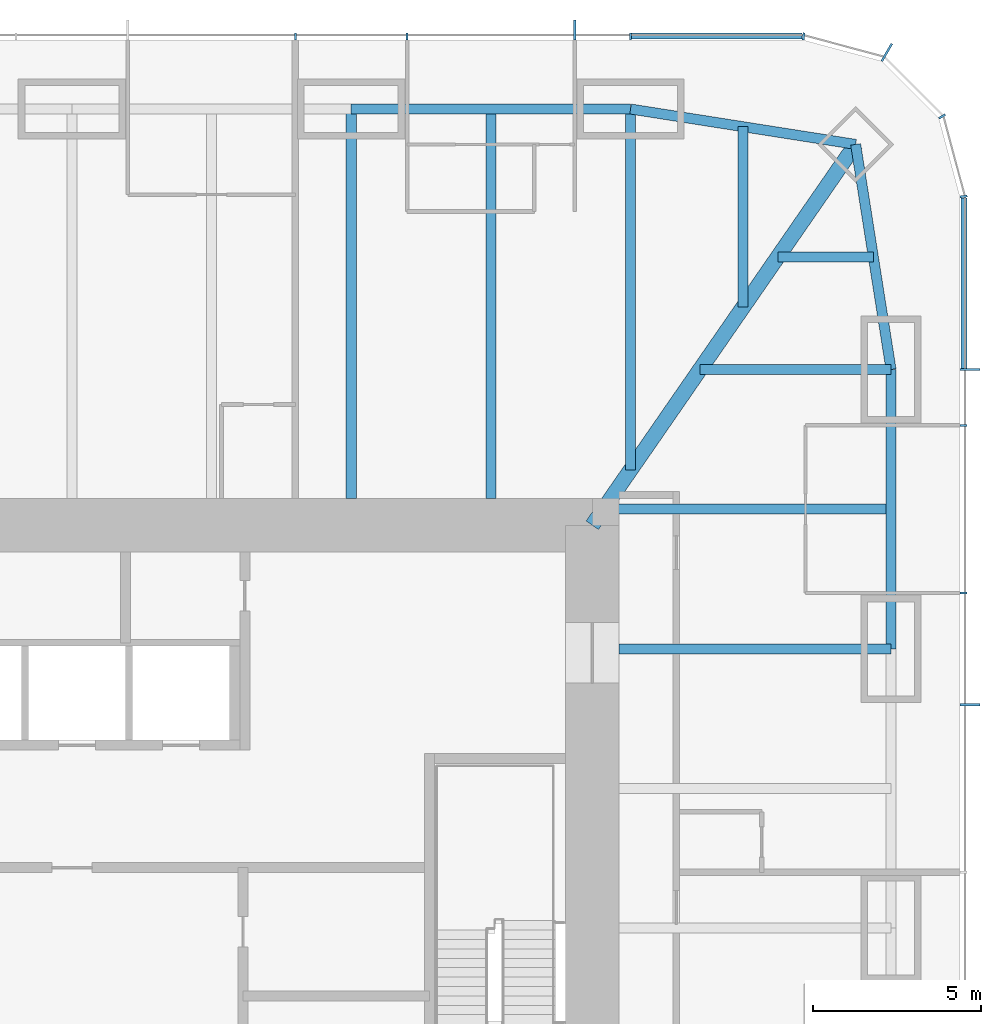
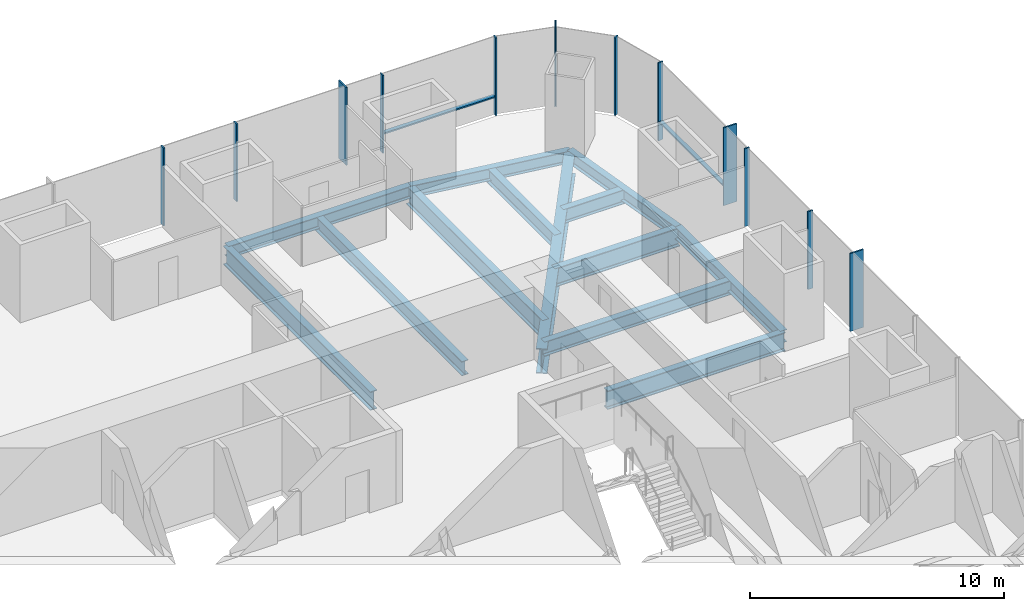
# One storey, part 6 of 12: 14 members, 13 beams, 3 elements without a shape of their own.
"""IFC4 building model written with IfcOpenShell, lengths in metres."""

from ifc_helpers import new_model, si_unit, direction, frame, origin, origin_2d, place, context, subcontext, project, spatial, rectangle, i_section, extrude, material, material_profile, profile_set, type_object, element, aggregate, save


model = new_model("IFC4")

# Units and contexts
model_context = context("Model", 3, precision=1e-05, world=origin(), true_north=direction((0.0, 1.0)))
body_context = subcontext(model_context, "Body", "Model", "MODEL_VIEW")
ifc_project = project(units=[si_unit("LENGTHUNIT", "METRE"), si_unit("AREAUNIT", "SQUARE_METRE"), si_unit("VOLUMEUNIT", "CUBIC_METRE"), si_unit("PLANEANGLEUNIT", "RADIAN"), si_unit("MASSUNIT", "GRAM", prefix="KILO")], contexts=[model_context])

# Site, building, storey
site_placement = place(None, origin())
site = spatial("IfcSite", under=ifc_project, at=site_placement, CompositionType="ELEMENT")
building_placement = place(site_placement, origin())
building = spatial("IfcBuilding", under=site, at=building_placement, Name="Khuree Lantern Residences", CompositionType="ELEMENT")
storey_placement = place(building_placement, frame((0.0, 0.0, 203.25)))
storey = spatial("IfcBuildingStorey", under=building, at=storey_placement, Name="L50", CompositionType="ELEMENT", Elevation=203.25)

# Beams
ifc_material_1 = material(Name="Steel S355", Category="steel")
ifc_material_profile_1 = material_profile(ifc_material_1, i_section(OverallWidth=0.300048828125, OverallDepth=0.68994140625, WebThickness=0.014404296875, FlangeThickness=0.027099609375, FilletRadius=0.027099609375, at=origin_2d()), Name="HE 700 A")
ifc_profile_set_1 = profile_set([ifc_material_profile_1], Name="Steel S355")
beam_type_1 = type_object("IfcBeamType", Name="B-31 SECONDARY BEAM HE 700 A", PredefinedType="BEAM", material=ifc_profile_set_1)
beam_1_placement = place(storey_placement, frame((12.47998046875, 24.39990234375, -0.594970703125), z_axis=(0.0, -1.0, 0.0), x_axis=(1.0, 0.0, 0.0)))
element("IfcBeam", 1, at=beam_1_placement, inside=storey, type_object=beam_type_1, Name="Secondary beam N4", PredefinedType="BEAM", context=body_context, shape_type="SweptSolid", body=[
    extrude(i_section(OverallWidth=0.300048828125, OverallDepth=0.68994140625, WebThickness=0.014404296875, FlangeThickness=0.027099609375, FilletRadius=0.027099609375, at=origin_2d()), origin(), (0.0, 0.0, 1.0), 11.599853515625),
])
beam_2_placement = place(storey_placement, frame((19.992919921875, 23.872802734375, -0.594970703125), z_axis=(0.0, -1.0, 0.0), x_axis=(1.0, 0.0, 0.0)))
element("IfcBeam", 2, at=beam_2_placement, inside=storey, type_object=beam_type_1, Name="Secondary beam N5", PredefinedType="BEAM", context=body_context, shape_type="SweptSolid", body=[
    extrude(i_section(OverallWidth=0.300048828125, OverallDepth=0.68994140625, WebThickness=0.014404296875, FlangeThickness=0.027099609375, FilletRadius=0.027099609375, at=origin_2d()), origin(), (0.0, 0.0, 1.0), 5.375732421875),
])
beam_3_placement = place(storey_placement, frame((23.872802734375, 19.992919921875, -0.594970703125), z_axis=(-1.0, 0.0, 0.0), x_axis=(0.0, -1.0, 0.0)))
element("IfcBeam", 3, at=beam_3_placement, inside=storey, type_object=beam_type_1, Name="Secondary beam E1", PredefinedType="BEAM", context=body_context, shape_type="SweptSolid", body=[
    extrude(i_section(OverallWidth=0.300048828125, OverallDepth=0.68994140625, WebThickness=0.014404296875, FlangeThickness=0.027099609375, FilletRadius=0.027099609375, at=origin_2d()), origin(), (0.0, 0.0, 1.0), 2.845703125),
])
beam_4_placement = place(storey_placement, frame((24.39990234375, 12.47998046875, -0.594970703125), z_axis=(-1.0, 0.0, 0.0), x_axis=(0.0, -1.0, 0.0)))
element("IfcBeam", 4, at=beam_4_placement, inside=storey, type_object=beam_type_1, Name="Secondary beam E2", PredefinedType="BEAM", context=body_context, shape_type="SweptSolid", body=[
    extrude(i_section(OverallWidth=0.300048828125, OverallDepth=0.68994140625, WebThickness=0.014404296875, FlangeThickness=0.027099609375, FilletRadius=0.027099609375, at=origin_2d()), origin(), (0.0, 0.0, 1.0), 8.56787109375),
])
ifc_material_profile_2 = material_profile(ifc_material_1, i_section(OverallWidth=0.300048828125, OverallDepth=0.590087890625, WebThickness=0.012939453125, FlangeThickness=0.02490234375, FilletRadius=0.027099609375, at=origin_2d()), Name="HE 600 A")
ifc_profile_set_2 = profile_set([ifc_material_profile_2], Name="Steel S355")
beam_type_2 = type_object("IfcBeamType", Name="E-31 SPANDREL BEAM HE 600 A", PredefinedType="SPANDREL", material=ifc_profile_set_2)
beam_5_placement = place(storey_placement, frame((8.320068359375, 24.39990234375, -0.544921875), z_axis=(1.0, 0.0, 0.0), x_axis=(0.0, 1.0, 0.0)))
element("IfcBeam", 5, at=beam_5_placement, inside=storey, type_object=beam_type_2, Name="Spandrel beam N4", PredefinedType="SPANDREL", context=body_context, shape_type="SweptSolid", body=[
    extrude(i_section(OverallWidth=0.300048828125, OverallDepth=0.590087890625, WebThickness=0.012939453125, FlangeThickness=0.02490234375, FilletRadius=0.027099609375, at=origin_2d()), origin(), (0.0, 0.0, 1.0), 8.31982421875),
])
for number, where, z_axis, x_axis, name in (
    (6, (16.639892578125, 24.39990234375, -0.544921875), (0.98786743189, -0.155299507442, 0.0), (0.155299507442, 0.98786743189, 0.0), "Spandrel beam N5"),
    (7, (23.345703125, 23.345703125, -0.544921875), (0.155299507442, -0.98786743189, 0.0), (0.98786743189, 0.155299507442, 0.0), "Spandrel beam E1"),
):
    element("IfcBeam", number, at=place(storey_placement, frame(where, z_axis=z_axis, x_axis=x_axis)), inside=storey, type_object=beam_type_2, Name=name, PredefinedType="SPANDREL", context=body_context, shape_type="SweptSolid", body=[
        extrude(i_section(OverallWidth=0.300048828125, OverallDepth=0.590087890625, WebThickness=0.012939453125, FlangeThickness=0.02490234375, FilletRadius=0.027099609375, at=origin_2d()), origin(), (0.0, 0.0, 1.0), 6.7880859375),
    ])
beam_6_placement = place(storey_placement, frame((24.39990234375, 16.639892578125, -0.544921875), z_axis=(0.0, -1.0, 0.0), x_axis=(1.0, 0.0, 0.0)))
element("IfcBeam", 8, at=beam_6_placement, inside=storey, type_object=beam_type_2, Name="Spandrel beam E2", PredefinedType="SPANDREL", context=body_context, shape_type="SweptSolid", body=[
    extrude(i_section(OverallWidth=0.300048828125, OverallDepth=0.590087890625, WebThickness=0.012939453125, FlangeThickness=0.02490234375, FilletRadius=0.027099609375, at=origin_2d()), origin(), (0.0, 0.0, 1.0), 8.31982421875),
])

# Curtain wall, members
ifc_material_2 = material(Name="Bronze anodised aluminium", Category="aluminium")
curtain_wall_type_1 = type_object("IfcCurtainWallType", Name="CW-T1 TOWER FACE CURTAIN WALL", PredefinedType="USERDEFINED", material=ifc_material_2)
curtain_wall_1_placement = place(storey_placement, origin())
curtain_wall_1 = element("IfcCurtainWall", 9, at=curtain_wall_1_placement, inside=storey, type_object=curtain_wall_type_1, Name="L50 EAST FACE CURTAIN WALL", ObjectType="Stick-built curtain wall", PredefinedType="USERDEFINED")
ifc_material_profile_3 = material_profile(ifc_material_2, rectangle(XDim=0.06494140625, YDim=0.60009765625, at=origin_2d()), Name="F1 65X600")
ifc_profile_set_3 = profile_set([ifc_material_profile_3], Name="Bronze anodised aluminium")
member_type_1 = type_object("IfcMemberType", Name="F1 BRONZE FIN MULLION TOWER 65X600", PredefinedType="MULLION", material=ifc_profile_set_3)
member_1_placement = place(storey_placement, frame((26.75, 6.656005859375, 0.0), z_axis=(0.0, 0.0, 1.0), x_axis=(0.0, 1.0, 0.0)))
member_1 = element("IfcMember", 10, at=member_1_placement, type_object=member_type_1, Name="L50 EAST FACE FIN MULLION 11", PredefinedType="MULLION", context=body_context, shape_type="SweptSolid", body=[
    extrude(rectangle(XDim=0.06494140625, YDim=0.60009765625, at=origin_2d()), origin(), (0.0, 0.0, 1.0), 3.75),
])
member_2_placement = place(storey_placement, frame((26.75, 16.639892578125, 0.0), z_axis=(0.0, 0.0, 1.0), x_axis=(0.0, 1.0, 0.0)))
member_2 = element("IfcMember", 11, at=member_2_placement, type_object=member_type_1, Name="L50 EAST FACE FIN MULLION 14", PredefinedType="MULLION", context=body_context, shape_type="SweptSolid", body=[
    extrude(rectangle(XDim=0.06494140625, YDim=0.60009765625, at=origin_2d()), origin(), (0.0, 0.0, 1.0), 3.75),
])

# Curtain wall, member
curtain_wall_type_2 = type_object("IfcCurtainWallType", Name="CW-T2 TOWER CORNER CURTAIN WALL", PredefinedType="USERDEFINED", material=ifc_material_2)
curtain_wall_2_placement = place(storey_placement, origin())
curtain_wall_2 = element("IfcCurtainWall", 12, at=curtain_wall_2_placement, inside=storey, type_object=curtain_wall_type_2, Name="L50 NORTH-EAST CORNER CURTAIN WALL", ObjectType="Faceted corner curtain wall", PredefinedType="USERDEFINED")
member_3_placement = place(storey_placement, frame((24.27490234375, 26.0869140625, 0.0), z_axis=(0.0, 0.0, 1.0), x_axis=(-0.866025409797, 0.499999989586, 0.0)))
member_3 = element("IfcMember", 13, at=member_3_placement, type_object=member_type_1, Name="L50 NORTH-EAST CORNER FIN MULLION 17", PredefinedType="MULLION", context=body_context, shape_type="SweptSolid", body=[
    extrude(rectangle(XDim=0.06494140625, YDim=0.60009765625, at=origin_2d()), origin(), (0.0, 0.0, 1.0), 3.75),
])

curtain_wall_3_placement = place(storey_placement, origin())
curtain_wall_3 = element("IfcCurtainWall", 14, at=curtain_wall_3_placement, inside=storey, type_object=curtain_wall_type_1, Name="L50 NORTH FACE CURTAIN WALL", ObjectType="Stick-built curtain wall", PredefinedType="USERDEFINED")
member_4_placement = place(storey_placement, frame((14.97607421875, 26.75, 0.0), z_axis=(0.0, 0.0, 1.0), x_axis=(-1.0, 0.0, 0.0)))
member_4 = element("IfcMember", 15, at=member_4_placement, type_object=member_type_1, Name="L50 NORTH FACE FIN MULLION 20", PredefinedType="MULLION", context=body_context, shape_type="SweptSolid", body=[
    extrude(rectangle(XDim=0.06494140625, YDim=0.60009765625, at=origin_2d()), origin(), (0.0, 0.0, 1.0), 3.75),
])

# Beams
ifc_material_profile_4 = material_profile(ifc_material_1, i_section(OverallWidth=0.300048828125, OverallDepth=0.89990234375, WebThickness=0.0185546875, FlangeThickness=0.034912109375, FilletRadius=0.030029296875, at=origin_2d()), Name="HE 900 B")
ifc_profile_set_4 = profile_set([ifc_material_profile_4], Name="Steel S355")
beam_type_3 = type_object("IfcBeamType", Name="G-31A GIRDER HE 900 B", PredefinedType="BEAM", material=ifc_profile_set_4)
beam_7_placement = place(storey_placement, frame((8.320068359375, 24.39990234375, -0.699951171875), z_axis=(0.0, -1.0, 0.0), x_axis=(1.0, 0.0, 0.0)))
element("IfcBeam", 16, at=beam_7_placement, inside=storey, type_object=beam_type_3, Name="Girder N4", PredefinedType="BEAM", context=body_context, shape_type="SweptSolid", body=[
    extrude(i_section(OverallWidth=0.300048828125, OverallDepth=0.89990234375, WebThickness=0.0185546875, FlangeThickness=0.034912109375, FilletRadius=0.030029296875, at=origin_2d()), origin(), (0.0, 0.0, 1.0), 11.599853515625),
])
beam_8_placement = place(storey_placement, frame((16.639892578125, 24.39990234375, -0.699951171875), z_axis=(0.0, -1.0, 0.0), x_axis=(1.0, 0.0, 0.0)))
element("IfcBeam", 17, at=beam_8_placement, inside=storey, type_object=beam_type_3, Name="Girder N5", PredefinedType="BEAM", context=body_context, shape_type="SweptSolid", body=[
    extrude(i_section(OverallWidth=0.300048828125, OverallDepth=0.89990234375, WebThickness=0.0185546875, FlangeThickness=0.034912109375, FilletRadius=0.030029296875, at=origin_2d()), origin(), (0.0, 0.0, 1.0), 10.751220703125),
])
beam_9_placement = place(storey_placement, frame((24.39990234375, 16.639892578125, -0.699951171875), z_axis=(-1.0, 0.0, 0.0), x_axis=(0.0, -1.0, 0.0)))
element("IfcBeam", 18, at=beam_9_placement, inside=storey, type_object=beam_type_3, Name="Girder E1", PredefinedType="BEAM", context=body_context, shape_type="SweptSolid", body=[
    extrude(i_section(OverallWidth=0.300048828125, OverallDepth=0.89990234375, WebThickness=0.0185546875, FlangeThickness=0.034912109375, FilletRadius=0.030029296875, at=origin_2d()), origin(), (0.0, 0.0, 1.0), 5.69140625),
])
beam_10_placement = place(storey_placement, frame((24.39990234375, 8.320068359375, -0.699951171875), z_axis=(-1.0, 0.0, 0.0), x_axis=(0.0, -1.0, 0.0)))
element("IfcBeam", 19, at=beam_10_placement, inside=storey, type_object=beam_type_3, Name="Girder E2", PredefinedType="BEAM", context=body_context, shape_type="SweptSolid", body=[
    extrude(i_section(OverallWidth=0.300048828125, OverallDepth=0.89990234375, WebThickness=0.0185546875, FlangeThickness=0.034912109375, FilletRadius=0.030029296875, at=origin_2d()), origin(), (0.0, 0.0, 1.0), 8.099853515625),
])
ifc_material_profile_5 = material_profile(ifc_material_1, i_section(OverallWidth=0.449951171875, OverallDepth=1.199951171875, WebThickness=0.02490234375, FlangeThickness=0.044921875, at=origin_2d()), Name="WELDED I 1200X450X25X45")
ifc_profile_set_5 = profile_set([ifc_material_profile_5], Name="Steel S355")
beam_type_4 = type_object("IfcBeamType", Name="GD-31 CORNER GIRDER WELDED I 1200X450X25X45", PredefinedType="BEAM", material=ifc_profile_set_5)
beam_11_placement = place(storey_placement, frame((23.345703125, 23.345703125, -0.85009765625), z_axis=(-0.56876813501, -0.822497907959, 0.0), x_axis=(0.822497907959, -0.56876813501, 0.0)))
element("IfcBeam", 20, at=beam_11_placement, inside=storey, type_object=beam_type_4, Name="Corner girder NE", PredefinedType="BEAM", context=body_context, shape_type="SweptSolid", body=[
    extrude(i_section(OverallWidth=0.449951171875, OverallDepth=1.199951171875, WebThickness=0.02490234375, FlangeThickness=0.044921875, at=origin_2d()), origin(), (0.0, 0.0, 1.0), 13.794189453125),
])

# Member
ifc_material_profile_6 = material_profile(ifc_material_2, rectangle(XDim=0.06494140625, YDim=0.219970703125, at=origin_2d()), Name="M1 65X220")
ifc_profile_set_6 = profile_set([ifc_material_profile_6], Name="Bronze anodised aluminium")
member_type_2 = type_object("IfcMemberType", Name="M1 BRONZE MULLION TOWER 65X220", PredefinedType="MULLION", material=ifc_profile_set_6)
member_5_placement = place(storey_placement, frame((26.56005859375, 9.98388671875, 0.0), z_axis=(0.0, 0.0, 1.0), x_axis=(0.0, 1.0, 0.0)))
member_5 = element("IfcMember", 21, at=member_5_placement, type_object=member_type_2, Name="L50 EAST FACE MULLION 12", PredefinedType="MULLION", context=body_context, shape_type="SweptSolid", body=[
    extrude(rectangle(XDim=0.06494140625, YDim=0.219970703125, at=origin_2d()), origin(), (0.0, 0.0, 1.0), 3.75),
])

member_6_placement = place(storey_placement, frame((26.56005859375, 14.97607421875, 0.0), z_axis=(0.0, 0.0, 1.0), x_axis=(0.0, 1.0, 0.0)))
member_6 = element("IfcMember", 22, at=member_6_placement, type_object=member_type_2, Name="L50 EAST FACE MULLION 13", PredefinedType="MULLION", context=body_context, shape_type="SweptSolid", body=[
    extrude(rectangle(XDim=0.06494140625, YDim=0.219970703125, at=origin_2d()), origin(), (0.0, 0.0, 1.0), 3.75),
])

member_7_placement = place(storey_placement, frame((26.561767578125, 21.794921875, 0.0), z_axis=(0.0, 0.0, 1.0), x_axis=(-0.130526180298, 0.991444862943, 0.0)))
member_7 = element("IfcMember", 23, at=member_7_placement, type_object=member_type_2, Name="L50 NORTH-EAST CORNER MULLION 15", PredefinedType="MULLION", context=body_context, shape_type="SweptSolid", body=[
    extrude(rectangle(XDim=0.06494140625, YDim=0.219970703125, at=origin_2d()), origin(), (0.0, 0.0, 1.0), 3.75),
])

member_8_placement = place(storey_placement, frame((25.92236328125, 24.179931640625, 0.0), z_axis=(0.0, 0.0, 1.0), x_axis=(-0.499999989586, 0.866025409797, 0.0)))
member_8 = element("IfcMember", 24, at=member_8_placement, type_object=member_type_2, Name="L50 NORTH-EAST CORNER MULLION 16", PredefinedType="MULLION", context=body_context, shape_type="SweptSolid", body=[
    extrude(rectangle(XDim=0.06494140625, YDim=0.219970703125, at=origin_2d()), origin(), (0.0, 0.0, 1.0), 3.75),
])

aggregate(curtain_wall_2, [member_7, member_8, member_3])

member_9_placement = place(storey_placement, frame((21.794921875, 26.561767578125, 0.0), z_axis=(0.0, 0.0, 1.0), x_axis=(-0.991444862943, 0.130526180298, 0.0)))
member_9 = element("IfcMember", 25, at=member_9_placement, type_object=member_type_2, Name="L50 NORTH FACE MULLION 18", PredefinedType="MULLION", context=body_context, shape_type="SweptSolid", body=[
    extrude(rectangle(XDim=0.06494140625, YDim=0.219970703125, at=origin_2d()), origin(), (0.0, 0.0, 1.0), 3.75),
])

member_10_placement = place(storey_placement, frame((16.639892578125, 26.56005859375, 0.0), z_axis=(0.0, 0.0, 1.0), x_axis=(-1.0, 0.0, 0.0)))
member_10 = element("IfcMember", 26, at=member_10_placement, type_object=member_type_2, Name="L50 NORTH FACE MULLION 19", PredefinedType="MULLION", context=body_context, shape_type="SweptSolid", body=[
    extrude(rectangle(XDim=0.06494140625, YDim=0.219970703125, at=origin_2d()), origin(), (0.0, 0.0, 1.0), 3.75),
])

member_11_placement = place(storey_placement, frame((9.98388671875, 26.56005859375, 0.0), z_axis=(0.0, 0.0, 1.0), x_axis=(-1.0, 0.0, 0.0)))
member_11 = element("IfcMember", 27, at=member_11_placement, type_object=member_type_2, Name="L50 NORTH FACE MULLION 21", PredefinedType="MULLION", context=body_context, shape_type="SweptSolid", body=[
    extrude(rectangle(XDim=0.06494140625, YDim=0.219970703125, at=origin_2d()), origin(), (0.0, 0.0, 1.0), 3.75),
])

member_12_placement = place(storey_placement, frame((6.656005859375, 26.56005859375, 0.0), z_axis=(0.0, 0.0, 1.0), x_axis=(-1.0, 0.0, 0.0)))
member_12 = element("IfcMember", 28, at=member_12_placement, type_object=member_type_2, Name="L50 NORTH FACE MULLION 22", PredefinedType="MULLION", context=body_context, shape_type="SweptSolid", body=[
    extrude(rectangle(XDim=0.06494140625, YDim=0.219970703125, at=origin_2d()), origin(), (0.0, 0.0, 1.0), 3.75),
])

ifc_material_profile_7 = material_profile(ifc_material_2, rectangle(XDim=0.179931640625, YDim=0.06494140625, at=origin_2d()), Name="T1 180X65")
ifc_profile_set_7 = profile_set([ifc_material_profile_7], Name="Bronze anodised aluminium")
member_type_3 = type_object("IfcMemberType", Name="TRANSOM T1 TOWER 180X65", PredefinedType="USERDEFINED", material=ifc_profile_set_7)
member_13_placement = place(storey_placement, frame((26.570068359375, 16.672607421875, 0.89990234375), z_axis=(0.0, 1.0, 0.0), x_axis=(-1.0, 0.0, 0.0)))
member_13 = element("IfcMember", 29, at=member_13_placement, type_object=member_type_3, Name="L50 EAST FACE TRANSOM 14.1", ObjectType="Transom", PredefinedType="USERDEFINED", context=body_context, shape_type="SweptSolid", body=[
    extrude(rectangle(XDim=0.179931640625, YDim=0.06494140625, at=origin_2d()), origin(), (0.0, 0.0, 1.0), 5.078857421875),
])

aggregate(curtain_wall_1, [member_1, member_5, member_6, member_2, member_13])

member_14_placement = place(storey_placement, frame((21.75146484375, 26.570068359375, 0.89990234375), z_axis=(-1.0, 0.0, 0.0), x_axis=(0.0, -1.0, 0.0)))
member_14 = element("IfcMember", 30, at=member_14_placement, type_object=member_type_3, Name="L50 NORTH FACE TRANSOM 18.1", ObjectType="Transom", PredefinedType="USERDEFINED", context=body_context, shape_type="SweptSolid", body=[
    extrude(rectangle(XDim=0.179931640625, YDim=0.06494140625, at=origin_2d()), origin(), (0.0, 0.0, 1.0), 5.078857421875),
])

aggregate(curtain_wall_3, [member_9, member_10, member_4, member_11, member_12, member_14])

save(model, "model.ifc")
